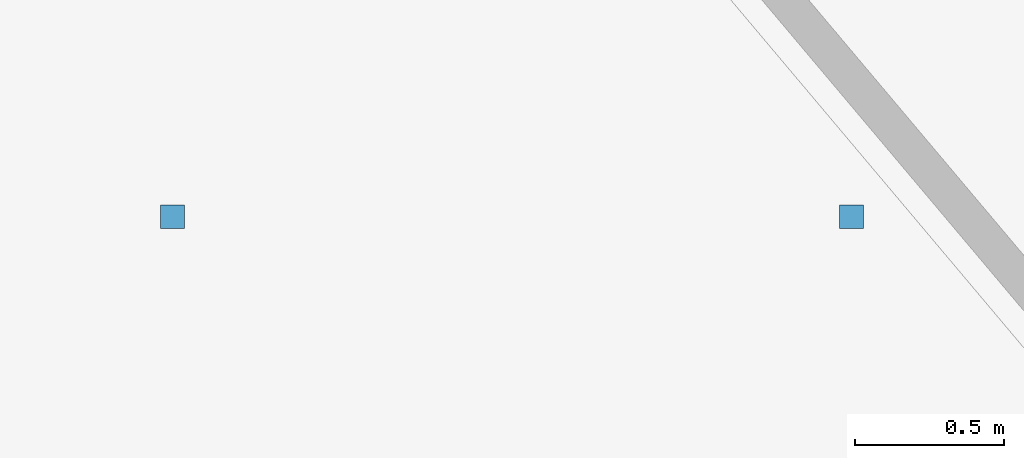
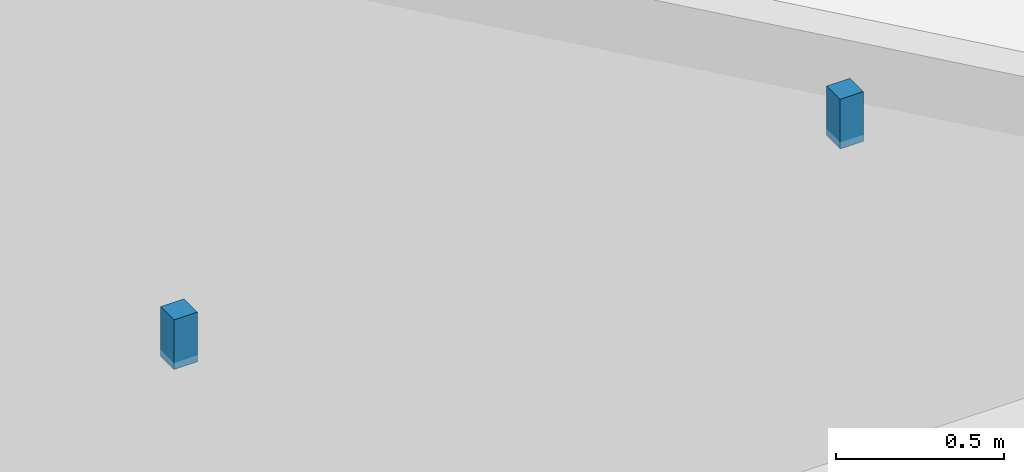
# One storey, part 10 of 16: 2 discrete accessories.
"""IFC4 building model written with IfcOpenShell, lengths in metres."""

import ifcopenshell
import ifcopenshell.guid

model = None  # the IFC model being written
_history = None  # IfcOwnerHistory: only IFC2X3 demands one
_inside = {}  # id of a spatial element -> (the spatial element, [elements in it])
_under = {}  # id of a project, library or spatial element -> (it, [spatial elements below it])
_declared = {}  # id of a project -> (the project, [libraries it declares])
_typed = {}  # id of a type object -> (the type object, [elements of that type])
_made_of = {}  # id of a material, layer set ... -> (it, [elements and type objects made of it])


def new_model(schema):
    """Start an empty IFC model of exactly this schema.

    Asked for "IFC4X3", IfcOpenShell would pick the latest addendum, in which some entities
    have other attributes; the version numbers below select the first issue.
    IFC2X3 requires an IfcOwnerHistory on every rooted entity: one is made here for all.
    """
    global model, _history
    if schema == "IFC4X3":
        model = ifcopenshell.file(schema_version=(4, 3, 0, 0))
    else:
        model = ifcopenshell.file(schema=schema)
    _inside.clear()
    _under.clear()
    _declared.clear()
    _typed.clear()
    _made_of.clear()
    _history = None
    if model.schema == "IFC2X3":
        org = make("IfcOrganization", Name="unknown")
        user = make(
            "IfcPersonAndOrganization",
            ThePerson=make("IfcPerson", FamilyName="unknown"),
            TheOrganization=org,
        )
        app = make(
            "IfcApplication",
            ApplicationDeveloper=org,
            Version="unknown",
            ApplicationFullName="unknown",
            ApplicationIdentifier="unknown",
        )
        _history = make(
            "IfcOwnerHistory",
            OwningUser=user,
            OwningApplication=app,
            ChangeAction="ADDED",
            CreationDate=0,
        )
    return model


def make(cls, **values):
    """One entity of the class cls with the attributes given. An attribute that is None is left unset."""
    return model.create_entity(
        cls, **{name: value for name, value in values.items() if value is not None}
    )


def rooted(cls, **values):
    """An entity with a GlobalId (a new one), such as an element, a storey or a relation."""
    return make(cls, GlobalId=ifcopenshell.guid.new(), OwnerHistory=_history, **values)


def si_unit(unit_type, name, prefix=None):
    """IfcSIUnit, for example si_unit("LENGTHUNIT", "METRE", prefix="MILLI")."""
    return make("IfcSIUnit", UnitType=unit_type, Prefix=prefix, Name=name)


def assignment(units):
    """IfcUnitAssignment: the units of a project."""
    return None if units is None else make("IfcUnitAssignment", Units=units)


def point(xyz):
    """IfcCartesianPoint."""
    return None if xyz is None else make("IfcCartesianPoint", Coordinates=xyz)


def direction(xyz):
    """IfcDirection."""
    return None if xyz is None else make("IfcDirection", DirectionRatios=xyz)


def frame(location, z_axis=None, x_axis=None):
    """IfcAxis2Placement3D, a coordinate frame: its origin and axes. An axis left out is left unset."""
    return make(
        "IfcAxis2Placement3D",
        Location=point(location),
        Axis=direction(z_axis),
        RefDirection=direction(x_axis),
    )


def frame_2d(location, x_axis=None):
    """IfcAxis2Placement2D, a coordinate frame in the plane: its origin and x axis."""
    return make(
        "IfcAxis2Placement2D", Location=point(location), RefDirection=direction(x_axis)
    )


def origin():
    """The frame at (0, 0, 0) with its axes left unset."""
    return frame((0.0, 0.0, 0.0))


def origin_2d():
    """The frame at (0, 0) in the plane with its x axis left unset."""
    return frame_2d((0.0, 0.0))


def place(relative_to, where):
    """IfcLocalPlacement: puts the frame where relative to a parent placement (None: the world)."""
    return make(
        "IfcLocalPlacement", PlacementRelTo=relative_to, RelativePlacement=where
    )


def context(
    kind, dimensions, precision=None, world=None, true_north=None, identifier=None
):
    """IfcGeometricRepresentationContext, for example the 3D "Model" context."""
    return make(
        "IfcGeometricRepresentationContext",
        ContextIdentifier=identifier,
        ContextType=kind,
        CoordinateSpaceDimension=dimensions,
        Precision=precision,
        WorldCoordinateSystem=world,
        TrueNorth=true_north,
    )


def subcontext(parent, identifier, kind, view, scale=None):
    """IfcGeometricRepresentationSubContext, for example "Body" below "Model"."""
    return make(
        "IfcGeometricRepresentationSubContext",
        ContextIdentifier=identifier,
        ContextType=kind,
        ParentContext=parent,
        TargetScale=scale,
        TargetView=view,
    )


def project(units=None, contexts=None):
    """IfcProject with its units and contexts."""
    return rooted(
        "IfcProject",
        Name="project",
        RepresentationContexts=contexts,
        UnitsInContext=assignment(units),
    )


def spatial(cls, under=None, at=None, **own):
    """A site, building, storey or space (cls), placed at a placement, below another one or the project."""
    s = rooted(cls, ObjectPlacement=at, **own)
    if under is not None:
        _under.setdefault(under.id(), (under, []))[1].append(s)
    return s


def profile(cls, at=None, kind="AREA", **sizes):
    """A parametric profile (cls). Its sizes go by their IFC names, for example OverallWidth=200.0."""
    return make(cls, ProfileType=kind, Position=at, **sizes)


def rectangle(**sizes):
    """IfcRectangleProfileDef."""
    return profile("IfcRectangleProfileDef", **sizes)


def extrude(swept, where, along, depth):
    """IfcExtrudedAreaSolid: the profile swept, set in the frame where, extruded along a direction by depth."""
    return make(
        "IfcExtrudedAreaSolid",
        SweptArea=swept,
        Position=where,
        ExtrudedDirection=direction(along),
        Depth=depth,
    )


def shape(context_of_items, identifier, shape_type, items):
    """IfcShapeRepresentation: the items that make up one representation, for example the "Body"."""
    return make(
        "IfcShapeRepresentation",
        ContextOfItems=context_of_items,
        RepresentationIdentifier=identifier,
        RepresentationType=shape_type,
        Items=items,
    )


def material(Name=None, Category=None):
    """IfcMaterial."""
    return make("IfcMaterial", Name=Name, Category=Category)


def made_of(thing, what):
    """Note that an element or type object is made of a material, layer set ...; save() writes the relation."""
    if what is not None:
        _made_of.setdefault(what.id(), (what, []))[1].append(thing)
    return thing


def type_object(cls, material=None, **own):
    """A type object (cls), such as IfcWallType, which elements share."""
    return made_of(rooted(cls, **own), material)


def element(
    cls,
    number,
    at=None,
    inside=None,
    cuts=None,
    type_object=None,
    material=None,
    context=None,
    identifier="Body",
    shape_type=None,
    held_by="IfcProductDefinitionShape",
    body=None,
    shapes=None,
    **own,
):
    """One element of the class cls, such as IfcWall. Its Tag is "e" and its number.

    at: its placement. inside: the storey or other place that contains it. cuts: it is an
    opening in that element (IfcRelVoidsElement). A single representation is given by context,
    identifier, shape_type and body (its items); several are given by shapes. held_by: the class
    of the entity that holds the representations. save() writes the other relations.
    """
    e = rooted(cls, Tag="e%d" % number, ObjectPlacement=at, **own)
    if body is not None:
        shapes = [shape(context, identifier, shape_type, body)]
    if shapes is not None:
        e.Representation = make(held_by, Representations=shapes)
    if inside is not None:
        _inside.setdefault(inside.id(), (inside, []))[1].append(e)
    if cuts is not None:
        rooted(
            "IfcRelVoidsElement", RelatingBuildingElement=cuts, RelatedOpeningElement=e
        )
    if type_object is not None:
        _typed.setdefault(type_object.id(), (type_object, []))[1].append(e)
    return made_of(e, material)


def aggregate(whole, parts):
    """IfcRelAggregates: a whole, such as a stair, and the parts it consists of."""
    return rooted("IfcRelAggregates", RelatingObject=whole, RelatedObjects=parts)


def save(model, path):
    """Write the relations noted so far, then the file.

    IfcRelAggregates (storeys below a building ...), IfcRelContainedInSpatialStructure (elements
    in a storey), IfcRelDefinesByType, IfcRelAssociatesMaterial and IfcRelDeclares: one each for
    every whole, place, type object, material and project.
    """
    for whole, parts in _under.values():
        aggregate(whole, parts)
    for where, things in _inside.values():
        rooted(
            "IfcRelContainedInSpatialStructure",
            RelatedElements=things,
            RelatingStructure=where,
        )
    for kind, things in _typed.values():
        rooted("IfcRelDefinesByType", RelatedObjects=things, RelatingType=kind)
    for what, things in _made_of.values():
        rooted("IfcRelAssociatesMaterial", RelatedObjects=things, RelatingMaterial=what)
    for by, libraries in _declared.values():
        rooted("IfcRelDeclares", RelatingContext=by, RelatedDefinitions=libraries)
    model.write(path)


model = new_model("IFC4")

# Units and contexts
model_context = context("Model", 3, precision=1e-05, world=origin(), true_north=direction((0.0, 1.0)))
body_context = subcontext(model_context, "Body", "Model", "MODEL_VIEW")
ifc_project = project(units=[si_unit("LENGTHUNIT", "METRE"), si_unit("AREAUNIT", "SQUARE_METRE"), si_unit("VOLUMEUNIT", "CUBIC_METRE"), si_unit("PLANEANGLEUNIT", "RADIAN"), si_unit("MASSUNIT", "GRAM", prefix="KILO")], contexts=[model_context])

# Site, building, storey
site_placement = place(None, origin())
site = spatial("IfcSite", under=ifc_project, at=site_placement, CompositionType="ELEMENT")
building_placement = place(site_placement, origin())
building = spatial("IfcBuilding", under=site, at=building_placement, Name="Kolvaren Gate Tower and Convention Centre", CompositionType="ELEMENT")
storey_placement = place(building_placement, frame((0.0, 0.0, 34.199951171875)))
storey = spatial("IfcBuildingStorey", under=building, at=storey_placement, Name="L07", CompositionType="ELEMENT", Elevation=34.199951171875)

# Discrete accessories
ifc_material = material(Name="Brushed Stainless Steel Grade 316L", Category="steel")
discrete_accessory_type = type_object("IfcDiscreteAccessoryType", Name="ARCH-ACC-HANGER-80", PredefinedType="BRACKET", material=ifc_material)
for number, where, z_axis, x_axis, name in (
    (1, (48.43994140625, 28.818115234375, 3.39013671875), (0.0, 0.0, 1.0), (1.0, 0.0, 0.0), "Strategy Huddle Meeting Room Ceiling Suspension Hanger Clip 2"),
    (2, (50.72509765625, 28.818115234375, 3.39013671875), (0.0, 0.0, 1.0), (1.0, 0.0, 0.0), "Strategy Huddle Meeting Room Ceiling Suspension Hanger Clip 3"),
):
    element("IfcDiscreteAccessory", number, at=place(storey_placement, frame(where, z_axis=z_axis, x_axis=x_axis)), inside=storey, type_object=discrete_accessory_type, Name=name, PredefinedType="BRACKET", context=body_context, shape_type="SweptSolid", body=[
        extrude(rectangle(XDim=0.080078125, YDim=0.080078125, at=origin_2d()), origin(), (0.0, 0.0, 1.0), 0.179931640625),
    ])

save(model, "model.ifc")
